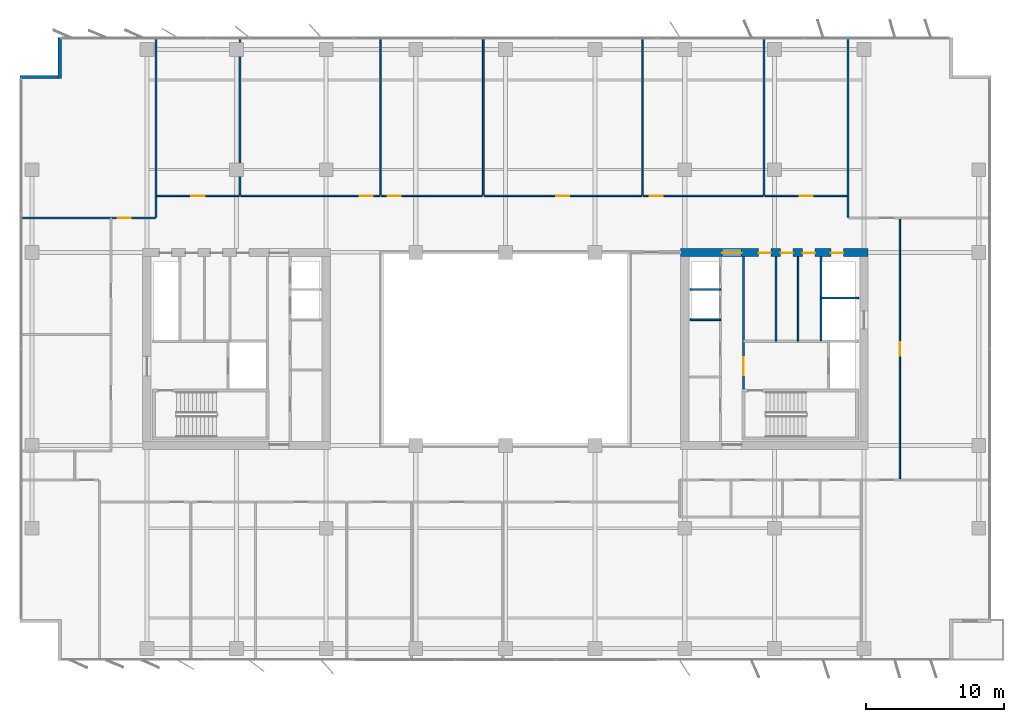
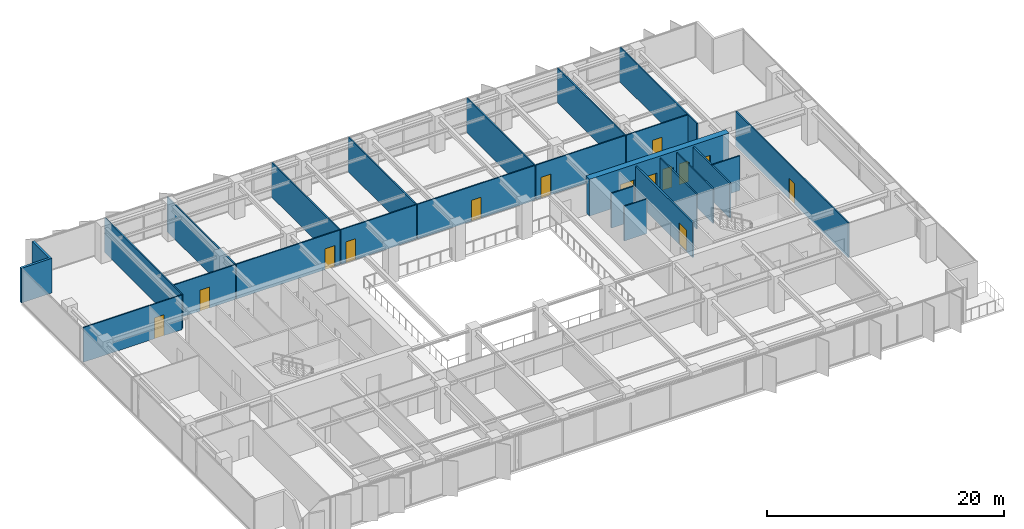
# One storey, part 17 of 22: 25 walls, 14 doors, 14 openings.
"""IFC4 building model written with IfcOpenShell, lengths in metres."""

from ifc_helpers import new_model, si_unit, direction, frame, frame_2d, origin, place, context, subcontext, project, spatial, rectangle, extrude, material, layer, layer_set, type_object, element, fill, save


model = new_model("IFC4")

# Units and contexts
model_context = context("Model", 3, precision=1e-05, world=origin(), true_north=direction((0.0, 1.0)))
body_context = subcontext(model_context, "Body", "Model", "MODEL_VIEW")
ifc_project = project(units=[si_unit("LENGTHUNIT", "METRE"), si_unit("AREAUNIT", "SQUARE_METRE"), si_unit("VOLUMEUNIT", "CUBIC_METRE"), si_unit("PLANEANGLEUNIT", "RADIAN"), si_unit("MASSUNIT", "GRAM", prefix="KILO")], contexts=[model_context])

# Site, building, storey
site_placement = place(None, origin())
site = spatial("IfcSite", under=ifc_project, at=site_placement, CompositionType="ELEMENT")
building_placement = place(site_placement, origin())
building = spatial("IfcBuilding", under=site, at=building_placement, Name="Putna Gate Headquarters", CompositionType="ELEMENT")
storey_placement = place(building_placement, frame((0.0, 0.0, 182.199951171875)))
storey = spatial("IfcBuildingStorey", under=building, at=storey_placement, Name="L45", CompositionType="ELEMENT", Elevation=182.199951171875)

# Wall, openings, doors
ifc_material_1 = material(Name="Concrete C50/60", Category="concrete")
ifc_layer_1 = layer(ifc_material_1, 0.60009765625)
ifc_layer_set_1 = layer_set([ifc_layer_1], Name="Concrete C50/60")
wall_type_1 = type_object("IfcWallType", Name="WALL-CORE-600", PredefinedType="SHEAR", material=ifc_layer_set_1)
wall_1_placement = place(storey_placement, frame((51.699951171875, 33.0, 0.0), z_axis=(0.0, 0.0, 1.0), x_axis=(1.0, 0.0, 0.0)))
wall_1 = element("IfcWall", 1, at=wall_1_placement, inside=storey, type_object=wall_type_1, Name="L45 EC Split Core Shear Wall N", PredefinedType="SHEAR", context=body_context, shape_type="SweptSolid", body=[
    extrude(rectangle(XDim=13.60009765625, YDim=0.60009765625, at=frame_2d((6.800048828125, 0.0))), origin(), (0.0, 0.0, 1.0), 3.800048828125),
])
opening_1_placement = place(wall_1_placement, frame((3.02001953125, 0.0, 0.0)))
opening_1 = element("IfcOpeningElement", 2, at=opening_1_placement, cuts=wall_1, Name="Opening FDD-140", PredefinedType="OPENING", context=body_context, shape_type="SweptSolid", body=[
    extrude(rectangle(XDim=1.39990234375, YDim=2.199951171875, at=frame_2d((0.699951171875, 1.10009765625))), frame((0.0, 0.31005859375, 0.0), z_axis=(0.0, -1.0, 0.0), x_axis=(1.0, 0.0, 0.0)), (0.0, 0.0, 1.0), 0.6201171875),
])
opening_2_placement = place(wall_1_placement, frame((10.89990234375, 0.0, 0.0)))
opening_2 = element("IfcOpeningElement", 3, at=opening_2_placement, cuts=wall_1, Name="Opening RD-90", PredefinedType="OPENING", context=body_context, shape_type="SweptSolid", body=[
    extrude(rectangle(XDim=0.89990234375, YDim=2.14990234375, at=frame_2d((0.449951171875, 1.074951171875))), frame((0.0, 0.31005859375, 0.0), z_axis=(0.0, -1.0, 0.0), x_axis=(1.0, 0.0, 0.0)), (0.0, 0.0, 1.0), 0.6201171875),
])
opening_3_placement = place(wall_1_placement, frame((5.64990234375, 0.0, 0.0)))
opening_3 = element("IfcOpeningElement", 4, at=opening_3_placement, cuts=wall_1, Name="Opening IDS-90", PredefinedType="OPENING", context=body_context, shape_type="SweptSolid", body=[
    extrude(rectangle(XDim=0.89990234375, YDim=2.14990234375, at=frame_2d((0.449951171875, 1.074951171875))), frame((0.0, 0.31005859375, 0.0), z_axis=(0.0, -1.0, 0.0), x_axis=(1.0, 0.0, 0.0)), (0.0, 0.0, 1.0), 0.6201171875),
])
opening_4_placement = place(wall_1_placement, frame((7.25, 0.0, 0.0)))
opening_4 = element("IfcOpeningElement", 5, at=opening_4_placement, cuts=wall_1, Name="Opening IDS-90", PredefinedType="OPENING", context=body_context, shape_type="SweptSolid", body=[
    extrude(rectangle(XDim=0.89990234375, YDim=2.14990234375, at=frame_2d((0.449951171875, 1.074951171875))), frame((0.0, 0.31005859375, 0.0), z_axis=(0.0, -1.0, 0.0), x_axis=(1.0, 0.0, 0.0)), (0.0, 0.0, 1.0), 0.6201171875),
])
opening_5_placement = place(wall_1_placement, frame((8.85009765625, 0.0, 0.0)))
opening_5 = element("IfcOpeningElement", 6, at=opening_5_placement, cuts=wall_1, Name="Opening IDS-90", PredefinedType="OPENING", context=body_context, shape_type="SweptSolid", body=[
    extrude(rectangle(XDim=0.89990234375, YDim=2.14990234375, at=frame_2d((0.449951171875, 1.074951171875))), frame((0.0, 0.31005859375, 0.0), z_axis=(0.0, -1.0, 0.0), x_axis=(1.0, 0.0, 0.0)), (0.0, 0.0, 1.0), 0.6201171875),
])
ifc_material_2 = material(Name="Double steel fire door", Category="steel")
door_type_1 = type_object("IfcDoorType", Name="DOOR-FIRE-DBL-1400", OperationType="DOUBLE_DOOR_SINGLE_SWING", PredefinedType="DOOR", material=ifc_material_2)
door_1_placement = place(opening_1_placement, origin())
door_1 = element("IfcDoor", 7, at=door_1_placement, inside=storey, type_object=door_type_1, Name="L45 East Lift Lobby North Door", OperationType="DOUBLE_DOOR_SINGLE_SWING", OverallHeight=2.199951171875, OverallWidth=1.39990234375, PredefinedType="DOOR", context=body_context, shape_type="SweptSolid", body=[
    extrude(rectangle(XDim=1.39990234375, YDim=2.199951171875, at=frame_2d((0.699951171875, 1.10009765625))), frame((0.0, -0.02490234375, 0.0), z_axis=(0.0, -1.0, 0.0), x_axis=(1.0, 0.0, 0.0)), (0.0, 0.0, 1.0), 0.050048828125),
])
fill(opening_1, door_1)
ifc_material_3 = material(Name="Fire-rated utility door")
door_type_2 = type_object("IfcDoorType", Name="DOOR-INT-900", OperationType="NOTDEFINED", PredefinedType="DOOR", material=ifc_material_3)
door_2_placement = place(opening_3_placement, origin())
door_2 = element("IfcDoor", 8, at=door_2_placement, inside=storey, type_object=door_type_2, Name="L45 East Cleaner Store Door", OperationType="SINGLE_SWING_RIGHT", OverallHeight=2.14990234375, OverallWidth=0.89990234375, PredefinedType="DOOR", context=body_context, shape_type="SweptSolid", body=[
    extrude(rectangle(XDim=0.89990234375, YDim=2.14990234375, at=frame_2d((0.449951171875, 1.074951171875))), frame((0.0, -0.02490234375, 0.0), z_axis=(0.0, -1.0, 0.0), x_axis=(1.0, 0.0, 0.0)), (0.0, 0.0, 1.0), 0.050048828125),
])
fill(opening_3, door_2)
door_3_placement = place(opening_4_placement, origin())
door_3 = element("IfcDoor", 9, at=door_3_placement, inside=storey, type_object=door_type_2, Name="L45 BMS Outstation Door", OperationType="SINGLE_SWING_LEFT", OverallHeight=2.14990234375, OverallWidth=0.89990234375, PredefinedType="DOOR", context=body_context, shape_type="SweptSolid", body=[
    extrude(rectangle(XDim=0.89990234375, YDim=2.14990234375, at=frame_2d((0.449951171875, 1.074951171875))), frame((0.0, -0.02490234375, 0.0), z_axis=(0.0, -1.0, 0.0), x_axis=(1.0, 0.0, 0.0)), (0.0, 0.0, 1.0), 0.050048828125),
])
fill(opening_4, door_3)
door_4_placement = place(opening_5_placement, origin())
door_4 = element("IfcDoor", 10, at=door_4_placement, inside=storey, type_object=door_type_2, Name="L45 Facilities Equipment Store Door", OperationType="SINGLE_SWING_RIGHT", OverallHeight=2.14990234375, OverallWidth=0.89990234375, PredefinedType="DOOR", context=body_context, shape_type="SweptSolid", body=[
    extrude(rectangle(XDim=0.89990234375, YDim=2.14990234375, at=frame_2d((0.449951171875, 1.074951171875))), frame((0.0, -0.02490234375, 0.0), z_axis=(0.0, -1.0, 0.0), x_axis=(1.0, 0.0, 0.0)), (0.0, 0.0, 1.0), 0.050048828125),
])
fill(opening_5, door_4)
ifc_material_4 = material(Name="Steel riser access fire door", Category="steel")
door_type_3 = type_object("IfcDoorType", Name="DOOR-RISER-900", OperationType="NOTDEFINED", PredefinedType="DOOR", material=ifc_material_4)
door_5_placement = place(opening_2_placement, origin())
door_5 = element("IfcDoor", 11, at=door_5_placement, inside=storey, type_object=door_type_3, Name="L45 East Riser Access Door", OperationType="SINGLE_SWING_LEFT", OverallHeight=2.14990234375, OverallWidth=0.89990234375, PredefinedType="DOOR", context=body_context, shape_type="SweptSolid", body=[
    extrude(rectangle(XDim=0.89990234375, YDim=2.14990234375, at=frame_2d((0.449951171875, 1.074951171875))), frame((0.0, -0.02490234375, 0.0), z_axis=(0.0, -1.0, 0.0), x_axis=(1.0, 0.0, 0.0)), (0.0, 0.0, 1.0), 0.050048828125),
])
fill(opening_2, door_5)

# Walls
ifc_material_5 = material(Name="Precast concrete C40/50", Category="concrete")
ifc_layer_2 = layer(ifc_material_5, 0.239990234375)
ifc_layer_set_2 = layer_set([ifc_layer_2], Name="Precast concrete C40/50")
wall_type_2 = type_object("IfcWallType", Name="WALL-EXT-TERR-240", PredefinedType="STANDARD", material=ifc_layer_set_2)
for number, where, z_axis, x_axis, name in (
    (12, (6.679931640625, 45.60009765625, 0.0), (0.0, 0.0, 1.0), (0.0, 1.0, 0.0), "L45 Corner Notch Return Wall NW-V"),
    (13, (3.800048828125, 45.719970703125, 0.0), (0.0, 0.0, 1.0), (1.0, 0.0, 0.0), "L45 Corner Notch Return Wall NW-H"),
):
    element("IfcWall", number, at=place(storey_placement, frame(where, z_axis=z_axis, x_axis=x_axis)), inside=storey, type_object=wall_type_2, Name=name, PredefinedType="STANDARD", context=body_context, shape_type="SweptSolid", body=[
        extrude(rectangle(XDim=3.0, YDim=0.239990234375, at=frame_2d((1.5, 0.0))), origin(), (0.0, 0.0, 1.0), 3.572021484375),
    ])
ifc_material_6 = material(Name="Acoustic gypsum board on metal stud")
ifc_layer_3 = layer(ifc_material_6, 0.1201171875)
ifc_layer_set_3 = layer_set([ifc_layer_3], Name="Acoustic gypsum board on metal stud")
wall_type_3 = type_object("IfcWallType", Name="WALL-PART-120", PredefinedType="PARTITIONING", material=ifc_layer_set_3)
wall_2_placement = place(storey_placement, frame((13.659423828125, 35.56005859375, 0.0), z_axis=(0.0, 0.0, 1.0), x_axis=(0.0, 1.0, 0.0)))
element("IfcWall", 14, at=wall_2_placement, inside=storey, type_object=wall_type_3, Name="L45 Interior Wall PART-L45-NB-DIV-01", PredefinedType="PARTITIONING", context=body_context, shape_type="SweptSolid", body=[
    extrude(rectangle(XDim=13.02001953125, YDim=0.1201171875, at=frame_2d((6.510009765625, 0.0))), origin(), (0.0, 0.0, 1.0), 3.572021484375),
])
for number, where, z_axis, x_axis, name in (
    (15, (19.7529296875, 37.159912109375, 0.0), (0.0, 0.0, 1.0), (0.0, 1.0, 0.0), "L45 Interior Wall PART-L45-NB-DIV-02"),
    (16, (29.9296875, 37.159912109375, 0.0), (0.0, 0.0, 1.0), (0.0, 1.0, 0.0), "L45 Interior Wall PART-L45-NB-DIV-03"),
    (17, (37.38916015625, 37.159912109375, 0.0), (0.0, 0.0, 1.0), (0.0, 1.0, 0.0), "L45 Interior Wall PART-L45-NB-DIV-04"),
    (18, (48.931640625, 37.159912109375, 0.0), (0.0, 0.0, 1.0), (0.0, 1.0, 0.0), "L45 Interior Wall PART-L45-NB-DIV-05"),
    (19, (57.749755859375, 37.159912109375, 0.0), (0.0, 0.0, 1.0), (0.0, 1.0, 0.0), "L45 Interior Wall PART-L45-NB-DIV-06"),
):
    element("IfcWall", number, at=place(storey_placement, frame(where, z_axis=z_axis, x_axis=x_axis)), inside=storey, type_object=wall_type_3, Name=name, PredefinedType="PARTITIONING", context=body_context, shape_type="SweptSolid", body=[
        extrude(rectangle(XDim=11.420166015625, YDim=0.1201171875, at=frame_2d((5.7099609375, 0.0))), origin(), (0.0, 0.0, 1.0), 3.572021484375),
    ])
wall_3_placement = place(storey_placement, frame((63.84326171875, 35.56005859375, 0.0), z_axis=(0.0, 0.0, 1.0), x_axis=(0.0, 1.0, 0.0)))
element("IfcWall", 20, at=wall_3_placement, inside=storey, type_object=wall_type_3, Name="L45 Interior Wall PART-L45-NB-DIV-07", PredefinedType="PARTITIONING", context=body_context, shape_type="SweptSolid", body=[
    extrude(rectangle(XDim=13.02001953125, YDim=0.1201171875, at=frame_2d((6.510009765625, 0.0))), origin(), (0.0, 0.0, 1.0), 3.572021484375),
])
ifc_material_7 = material(Name="Fire-rated shaftwall gypsum board on metal stud")
ifc_layer_4 = layer(ifc_material_7, 0.1201171875)
ifc_layer_set_4 = layer_set([ifc_layer_4], Name="Fire-rated shaftwall gypsum board on metal stud")
wall_type_4 = type_object("IfcWallType", Name="WALL-PART-120-EI120", PredefinedType="PARTITIONING", material=ifc_layer_set_4)
wall_4_placement = place(storey_placement, frame((52.39990234375, 30.31005859375, 0.0), z_axis=(0.0, 0.0, 1.0), x_axis=(1.0, 0.0, 0.0)))
element("IfcWall", 21, at=wall_4_placement, inside=storey, type_object=wall_type_4, Name="L45 Interior Wall CWINT-L45-EC-LF11-DIV", PredefinedType="PARTITIONING", context=body_context, shape_type="SweptSolid", body=[
    extrude(rectangle(XDim=2.2001953125, YDim=0.1201171875, at=frame_2d((1.10009765625, 0.0))), origin(), (0.0, 0.0, 1.0), 3.572021484375),
])
wall_5_placement = place(storey_placement, frame((61.8701171875, 29.699951171875, 0.0), z_axis=(0.0, 0.0, 1.0), x_axis=(1.0, 0.0, 0.0)))
element("IfcWall", 22, at=wall_5_placement, inside=storey, type_object=wall_type_4, Name="L45 Interior Wall CWINT-L45-EC-LF15-N", PredefinedType="PARTITIONING", context=body_context, shape_type="SweptSolid", body=[
    extrude(rectangle(XDim=2.72998046875, YDim=0.1201171875, at=frame_2d((1.364990234375, 0.0))), origin(), (0.0, 0.0, 1.0), 3.572021484375),
])
ifc_material_8 = material(Name="Fire-rated gypsum board on metal stud")
ifc_layer_5 = layer(ifc_material_8, 0.1201171875)
ifc_layer_set_5 = layer_set([ifc_layer_5], Name="Fire-rated gypsum board on metal stud")
wall_type_5 = type_object("IfcWallType", Name="WALL-PART-120-RATED", PredefinedType="PARTITIONING", material=ifc_layer_set_5)
wall_6_placement = place(storey_placement, frame((52.39990234375, 28.1201171875, 0.0), z_axis=(0.0, 0.0, 1.0), x_axis=(1.0, 0.0, 0.0)))
element("IfcWall", 23, at=wall_6_placement, inside=storey, type_object=wall_type_5, Name="L45 Interior Wall CWINT-L45-EC-LF08-DIV", PredefinedType="PARTITIONING", context=body_context, shape_type="SweptSolid", body=[
    extrude(rectangle(XDim=2.2001953125, YDim=0.1201171875, at=frame_2d((1.10009765625, 0.0))), origin(), (0.0, 0.0, 1.0), 3.572021484375),
])
for number, where, z_axis, x_axis, name in (
    (24, (58.6201171875, 26.56005859375, 0.0), (0.0, 0.0, 1.0), (0.0, 1.0, 0.0), "L45 Interior Wall CWINT-L45-EC-K2-D1"),
    (25, (60.219970703125, 26.56005859375, 0.0), (0.0, 0.0, 1.0), (0.0, 1.0, 0.0), "L45 Interior Wall CWINT-L45-EC-K2-D2"),
):
    element("IfcWall", number, at=place(storey_placement, frame(where, z_axis=z_axis, x_axis=x_axis)), inside=storey, type_object=wall_type_5, Name=name, PredefinedType="PARTITIONING", context=body_context, shape_type="SweptSolid", body=[
        extrude(rectangle(XDim=6.139892578125, YDim=0.1201171875, at=frame_2d((3.06982421875, 0.0))), origin(), (0.0, 0.0, 1.0), 3.572021484375),
    ])

# Wall, opening, door
wall_7_placement = place(storey_placement, frame((3.97998046875, 35.5, 0.0), z_axis=(0.0, 0.0, 1.0), x_axis=(1.0, 0.0, 0.0)))
wall_7 = element("IfcWall", 26, at=wall_7_placement, inside=storey, type_object=wall_type_5, Name="L45 Interior Wall PART-L45-NB-CW-01", PredefinedType="PARTITIONING", context=body_context, shape_type="SweptSolid", body=[
    extrude(rectangle(XDim=9.61962890625, YDim=0.1201171875, at=frame_2d((4.809814453125, 0.0))), origin(), (0.0, 0.0, 1.0), 3.572021484375),
])
opening_6_placement = place(wall_7_placement, frame((6.89990234375, 0.0, 0.0)))
opening_6 = element("IfcOpeningElement", 27, at=opening_6_placement, cuts=wall_7, Name="Opening FD-95", PredefinedType="OPENING", context=body_context, shape_type="SweptSolid", body=[
    extrude(rectangle(XDim=0.949951171875, YDim=2.14990234375, at=frame_2d((0.47509765625, 1.074951171875))), frame((0.0, 0.070068359375, 0.0), z_axis=(0.0, -1.0, 0.0), x_axis=(1.0, 0.0, 0.0)), (0.0, 0.0, 1.0), 0.14013671875),
])
ifc_material_9 = material(Name="Acoustic timber fire door", Category="wood")
door_type_4 = type_object("IfcDoorType", Name="DOOR-FIRE-950", OperationType="NOTDEFINED", PredefinedType="DOOR", material=ifc_material_9)
door_6_placement = place(opening_6_placement, origin())
door_6 = element("IfcDoor", 28, at=door_6_placement, inside=storey, type_object=door_type_4, Name="L45 Conference Meeting Room 4 Door", OperationType="SINGLE_SWING_RIGHT", OverallHeight=2.14990234375, OverallWidth=0.949951171875, PredefinedType="DOOR", context=body_context, shape_type="SweptSolid", body=[
    extrude(rectangle(XDim=0.949951171875, YDim=2.14990234375, at=frame_2d((0.47509765625, 1.074951171875))), frame((0.0, 0.02490234375, 0.0), z_axis=(0.0, -1.0, 0.0), x_axis=(1.0, 0.0, 0.0)), (0.0, 0.0, 1.0), 0.050048828125),
])
fill(opening_6, door_6)

wall_8_placement = place(storey_placement, frame((13.719482421875, 37.10009765625, 0.0), z_axis=(0.0, 0.0, 1.0), x_axis=(1.0, 0.0, 0.0)))
wall_8 = element("IfcWall", 29, at=wall_8_placement, inside=storey, type_object=wall_type_5, Name="L45 Interior Wall PART-L45-NB-CW-02", PredefinedType="PARTITIONING", context=body_context, shape_type="SweptSolid", body=[
    extrude(rectangle(XDim=5.9736328125, YDim=0.1201171875, at=frame_2d((2.98681640625, 0.0))), origin(), (0.0, 0.0, 1.0), 3.572021484375),
])
opening_7_placement = place(wall_8_placement, frame((2.51171875, 0.0, 0.0)))
opening_7 = element("IfcOpeningElement", 30, at=opening_7_placement, cuts=wall_8, Name="Opening FD-95", PredefinedType="OPENING", context=body_context, shape_type="SweptSolid", body=[
    extrude(rectangle(XDim=0.949951171875, YDim=2.14990234375, at=frame_2d((0.47509765625, 1.074951171875))), frame((0.0, 0.070068359375, 0.0), z_axis=(0.0, -1.0, 0.0), x_axis=(1.0, 0.0, 0.0)), (0.0, 0.0, 1.0), 0.14013671875),
])
door_7_placement = place(opening_7_placement, origin())
door_7 = element("IfcDoor", 31, at=door_7_placement, inside=storey, type_object=door_type_4, Name="L45 Quiet Wellness Focus Studio 1 Door", OperationType="SINGLE_SWING_LEFT", OverallHeight=2.14990234375, OverallWidth=0.949951171875, PredefinedType="DOOR", context=body_context, shape_type="SweptSolid", body=[
    extrude(rectangle(XDim=0.949951171875, YDim=2.14990234375, at=frame_2d((0.47509765625, 1.074951171875))), frame((0.0, 0.02490234375, 0.0), z_axis=(0.0, -1.0, 0.0), x_axis=(1.0, 0.0, 0.0)), (0.0, 0.0, 1.0), 0.050048828125),
])
fill(opening_7, door_7)

wall_9_placement = place(storey_placement, frame((19.81298828125, 37.10009765625, 0.0), z_axis=(0.0, 0.0, 1.0), x_axis=(1.0, 0.0, 0.0)))
wall_9 = element("IfcWall", 32, at=wall_9_placement, inside=storey, type_object=wall_type_5, Name="L45 Interior Wall PART-L45-NB-CW-03", PredefinedType="PARTITIONING", context=body_context, shape_type="SweptSolid", body=[
    extrude(rectangle(XDim=10.056884765625, YDim=0.1201171875, at=frame_2d((5.0283203125, 0.0))), origin(), (0.0, 0.0, 1.0), 3.572021484375),
])
opening_8_placement = place(wall_9_placement, frame((8.626708984375, 0.0, 0.0)))
opening_8 = element("IfcOpeningElement", 33, at=opening_8_placement, cuts=wall_9, Name="Opening FD-95", PredefinedType="OPENING", context=body_context, shape_type="SweptSolid", body=[
    extrude(rectangle(XDim=0.949951171875, YDim=2.14990234375, at=frame_2d((0.47509765625, 1.074951171875))), frame((0.0, 0.070068359375, 0.0), z_axis=(0.0, -1.0, 0.0), x_axis=(1.0, 0.0, 0.0)), (0.0, 0.0, 1.0), 0.14013671875),
])
door_8_placement = place(opening_8_placement, origin())
door_8 = element("IfcDoor", 34, at=door_8_placement, inside=storey, type_object=door_type_4, Name="L45 Quiet Wellness Focus Studio 2 Door", OperationType="SINGLE_SWING_RIGHT", OverallHeight=2.14990234375, OverallWidth=0.949951171875, PredefinedType="DOOR", context=body_context, shape_type="SweptSolid", body=[
    extrude(rectangle(XDim=0.949951171875, YDim=2.14990234375, at=frame_2d((0.47509765625, 1.074951171875))), frame((0.0, 0.02490234375, 0.0), z_axis=(0.0, -1.0, 0.0), x_axis=(1.0, 0.0, 0.0)), (0.0, 0.0, 1.0), 0.050048828125),
])
fill(opening_8, door_8)

wall_10_placement = place(storey_placement, frame((29.98974609375, 37.10009765625, 0.0), z_axis=(0.0, 0.0, 1.0), x_axis=(1.0, 0.0, 0.0)))
wall_10 = element("IfcWall", 35, at=wall_10_placement, inside=storey, type_object=wall_type_5, Name="L45 Interior Wall PART-L45-NB-CW-04", PredefinedType="PARTITIONING", context=body_context, shape_type="SweptSolid", body=[
    extrude(rectangle(XDim=7.33935546875, YDim=0.1201171875, at=frame_2d((3.669677734375, 0.0))), origin(), (0.0, 0.0, 1.0), 3.572021484375),
])
opening_9_placement = place(wall_10_placement, frame((0.47998046875, 0.0, 0.0)))
opening_9 = element("IfcOpeningElement", 36, at=opening_9_placement, cuts=wall_10, Name="Opening FD-95", PredefinedType="OPENING", context=body_context, shape_type="SweptSolid", body=[
    extrude(rectangle(XDim=0.949951171875, YDim=2.14990234375, at=frame_2d((0.47509765625, 1.074951171875))), frame((0.0, 0.070068359375, 0.0), z_axis=(0.0, -1.0, 0.0), x_axis=(1.0, 0.0, 0.0)), (0.0, 0.0, 1.0), 0.14013671875),
])
door_9_placement = place(opening_9_placement, origin())
door_9 = element("IfcDoor", 37, at=door_9_placement, inside=storey, type_object=door_type_4, Name="L45 Cellular Office 1 Door", OperationType="SINGLE_SWING_LEFT", OverallHeight=2.14990234375, OverallWidth=0.949951171875, PredefinedType="DOOR", context=body_context, shape_type="SweptSolid", body=[
    extrude(rectangle(XDim=0.949951171875, YDim=2.14990234375, at=frame_2d((0.47509765625, 1.074951171875))), frame((0.0, 0.02490234375, 0.0), z_axis=(0.0, -1.0, 0.0), x_axis=(1.0, 0.0, 0.0)), (0.0, 0.0, 1.0), 0.050048828125),
])
fill(opening_9, door_9)

wall_11_placement = place(storey_placement, frame((37.44921875, 37.10009765625, 0.0), z_axis=(0.0, 0.0, 1.0), x_axis=(1.0, 0.0, 0.0)))
wall_11 = element("IfcWall", 38, at=wall_11_placement, inside=storey, type_object=wall_type_5, Name="L45 Interior Wall PART-L45-NB-CW-05", PredefinedType="PARTITIONING", context=body_context, shape_type="SweptSolid", body=[
    extrude(rectangle(XDim=11.42236328125, YDim=0.1201171875, at=frame_2d((5.711181640625, 0.0))), origin(), (0.0, 0.0, 1.0), 3.572021484375),
])
opening_10_placement = place(wall_11_placement, frame((5.236328125, 0.0, 0.0)))
opening_10 = element("IfcOpeningElement", 39, at=opening_10_placement, cuts=wall_11, Name="Opening FD-95", PredefinedType="OPENING", context=body_context, shape_type="SweptSolid", body=[
    extrude(rectangle(XDim=0.949951171875, YDim=2.14990234375, at=frame_2d((0.47509765625, 1.074951171875))), frame((0.0, 0.070068359375, 0.0), z_axis=(0.0, -1.0, 0.0), x_axis=(1.0, 0.0, 0.0)), (0.0, 0.0, 1.0), 0.14013671875),
])
door_10_placement = place(opening_10_placement, origin())
door_10 = element("IfcDoor", 40, at=door_10_placement, inside=storey, type_object=door_type_4, Name="L45 Cellular Office 2 Door", OperationType="SINGLE_SWING_RIGHT", OverallHeight=2.14990234375, OverallWidth=0.949951171875, PredefinedType="DOOR", context=body_context, shape_type="SweptSolid", body=[
    extrude(rectangle(XDim=0.949951171875, YDim=2.14990234375, at=frame_2d((0.47509765625, 1.074951171875))), frame((0.0, 0.02490234375, 0.0), z_axis=(0.0, -1.0, 0.0), x_axis=(1.0, 0.0, 0.0)), (0.0, 0.0, 1.0), 0.050048828125),
])
fill(opening_10, door_10)

wall_12_placement = place(storey_placement, frame((48.99169921875, 37.10009765625, 0.0), z_axis=(0.0, 0.0, 1.0), x_axis=(1.0, 0.0, 0.0)))
wall_12 = element("IfcWall", 41, at=wall_12_placement, inside=storey, type_object=wall_type_5, Name="L45 Interior Wall PART-L45-NB-CW-06", PredefinedType="PARTITIONING", context=body_context, shape_type="SweptSolid", body=[
    extrude(rectangle(XDim=8.697998046875, YDim=0.1201171875, at=frame_2d((4.34912109375, 0.0))), origin(), (0.0, 0.0, 1.0), 3.572021484375),
])
opening_11_placement = place(wall_12_placement, frame((0.47998046875, 0.0, 0.0)))
opening_11 = element("IfcOpeningElement", 42, at=opening_11_placement, cuts=wall_12, Name="Opening FD-95", PredefinedType="OPENING", context=body_context, shape_type="SweptSolid", body=[
    extrude(rectangle(XDim=0.949951171875, YDim=2.14990234375, at=frame_2d((0.47509765625, 1.074951171875))), frame((0.0, 0.070068359375, 0.0), z_axis=(0.0, -1.0, 0.0), x_axis=(1.0, 0.0, 0.0)), (0.0, 0.0, 1.0), 0.14013671875),
])
door_11_placement = place(opening_11_placement, origin())
door_11 = element("IfcDoor", 43, at=door_11_placement, inside=storey, type_object=door_type_4, Name="L45 Cellular Office 3 Door", OperationType="SINGLE_SWING_LEFT", OverallHeight=2.14990234375, OverallWidth=0.949951171875, PredefinedType="DOOR", context=body_context, shape_type="SweptSolid", body=[
    extrude(rectangle(XDim=0.949951171875, YDim=2.14990234375, at=frame_2d((0.47509765625, 1.074951171875))), frame((0.0, 0.02490234375, 0.0), z_axis=(0.0, -1.0, 0.0), x_axis=(1.0, 0.0, 0.0)), (0.0, 0.0, 1.0), 0.050048828125),
])
fill(opening_11, door_11)

wall_13_placement = place(storey_placement, frame((57.809814453125, 37.10009765625, 0.0), z_axis=(0.0, 0.0, 1.0), x_axis=(1.0, 0.0, 0.0)))
wall_13 = element("IfcWall", 44, at=wall_13_placement, inside=storey, type_object=wall_type_5, Name="L45 Interior Wall PART-L45-NB-CW-07", PredefinedType="PARTITIONING", context=body_context, shape_type="SweptSolid", body=[
    extrude(rectangle(XDim=5.973388671875, YDim=0.1201171875, at=frame_2d((2.98681640625, 0.0))), origin(), (0.0, 0.0, 1.0), 3.572021484375),
])
opening_12_placement = place(wall_13_placement, frame((2.51171875, 0.0, 0.0)))
opening_12 = element("IfcOpeningElement", 45, at=opening_12_placement, cuts=wall_13, Name="Opening FD-95", PredefinedType="OPENING", context=body_context, shape_type="SweptSolid", body=[
    extrude(rectangle(XDim=0.949951171875, YDim=2.14990234375, at=frame_2d((0.47509765625, 1.074951171875))), frame((0.0, 0.070068359375, 0.0), z_axis=(0.0, -1.0, 0.0), x_axis=(1.0, 0.0, 0.0)), (0.0, 0.0, 1.0), 0.14013671875),
])
door_12_placement = place(opening_12_placement, origin())
door_12 = element("IfcDoor", 46, at=door_12_placement, inside=storey, type_object=door_type_4, Name="L45 Cellular Office 4 Door", OperationType="SINGLE_SWING_RIGHT", OverallHeight=2.14990234375, OverallWidth=0.949951171875, PredefinedType="DOOR", context=body_context, shape_type="SweptSolid", body=[
    extrude(rectangle(XDim=0.949951171875, YDim=2.14990234375, at=frame_2d((0.47509765625, 1.074951171875))), frame((0.0, 0.02490234375, 0.0), z_axis=(0.0, -1.0, 0.0), x_axis=(1.0, 0.0, 0.0)), (0.0, 0.0, 1.0), 0.050048828125),
])
fill(opening_12, door_12)

wall_14_placement = place(storey_placement, frame((67.60009765625, 16.5, 0.0), z_axis=(0.0, 0.0, 1.0), x_axis=(0.0, 1.0, 0.0)))
wall_14 = element("IfcWall", 47, at=wall_14_placement, inside=storey, type_object=wall_type_5, Name="L45 Interior Wall PART-L45-EW-CW-1", PredefinedType="PARTITIONING", context=body_context, shape_type="SweptSolid", body=[
    extrude(rectangle(XDim=19.0, YDim=0.1201171875, at=frame_2d((9.5, 0.0))), origin(), (0.0, 0.0, 1.0), 3.572021484375),
])
opening_13_placement = place(wall_14_placement, frame((9.02490234375, 0.0, 0.0)))
opening_13 = element("IfcOpeningElement", 48, at=opening_13_placement, cuts=wall_14, Name="Opening FD-95", PredefinedType="OPENING", context=body_context, shape_type="SweptSolid", body=[
    extrude(rectangle(XDim=0.949951171875, YDim=2.14990234375, at=frame_2d((0.47509765625, 1.074951171875))), frame((0.0, 0.070068359375, 0.0), z_axis=(0.0, -1.0, 0.0), x_axis=(1.0, 0.0, 0.0)), (0.0, 0.0, 1.0), 0.14013671875),
])
door_13_placement = place(opening_13_placement, origin())
door_13 = element("IfcDoor", 49, at=door_13_placement, inside=storey, type_object=door_type_4, Name="L45 East Horizon Conference Room 1 Door", OperationType="SINGLE_SWING_RIGHT", OverallHeight=2.14990234375, OverallWidth=0.949951171875, PredefinedType="DOOR", context=body_context, shape_type="SweptSolid", body=[
    extrude(rectangle(XDim=0.949951171875, YDim=2.14990234375, at=frame_2d((0.47509765625, 1.074951171875))), frame((0.0, 0.02490234375, 0.0), z_axis=(0.0, -1.0, 0.0), x_axis=(1.0, 0.0, 0.0)), (0.0, 0.0, 1.0), 0.050048828125),
])
fill(opening_13, door_13)

ifc_material_10 = material(Name="Concrete C40/50", Category="concrete")
ifc_layer_6 = layer(ifc_material_10, 0.159912109375)
ifc_layer_set_6 = layer_set([ifc_layer_6], Name="Concrete C40/50")
wall_type_6 = type_object("IfcWallType", Name="WALL-SHAFT-160", PredefinedType="STANDARD", material=ifc_layer_set_6)
wall_15_placement = place(storey_placement, frame((56.260009765625, 23.090087890625, 0.0), z_axis=(0.0, 0.0, 1.0), x_axis=(0.0, 1.0, 0.0)))
wall_15 = element("IfcWall", 50, at=wall_15_placement, inside=storey, type_object=wall_type_6, Name="L45 Interior Wall CWINT-L45-EC-LOB-E", PredefinedType="STANDARD", context=body_context, shape_type="SweptSolid", body=[
    extrude(rectangle(XDim=9.60986328125, YDim=0.159912109375, at=frame_2d((4.804931640625, 0.0))), origin(), (0.0, 0.0, 1.0), 3.572021484375),
])
opening_14_placement = place(wall_15_placement, frame((1.010009765625, 0.0, 0.0)))
opening_14 = element("IfcOpeningElement", 51, at=opening_14_placement, cuts=wall_15, Name="Opening FDD-130", PredefinedType="OPENING", context=body_context, shape_type="SweptSolid", body=[
    extrude(rectangle(XDim=1.300048828125, YDim=2.199951171875, at=frame_2d((0.64990234375, 1.10009765625))), frame((0.0, 0.08984375, 0.0), z_axis=(0.0, -1.0, 0.0), x_axis=(1.0, 0.0, 0.0)), (0.0, 0.0, 1.0), 0.179931640625),
])
ifc_material_11 = material(Name="Double steel lobby fire door", Category="steel")
door_type_5 = type_object("IfcDoorType", Name="DOOR-FIRE-DBL-1300", OperationType="DOUBLE_DOOR_SINGLE_SWING", PredefinedType="DOOR", material=ifc_material_11)
door_14_placement = place(opening_14_placement, origin())
door_14 = element("IfcDoor", 52, at=door_14_placement, inside=storey, type_object=door_type_5, Name="L45 East Firefighting Lobby Door", OperationType="DOUBLE_DOOR_SINGLE_SWING", OverallHeight=2.199951171875, OverallWidth=1.300048828125, PredefinedType="DOOR", context=body_context, shape_type="SweptSolid", body=[
    extrude(rectangle(XDim=1.300048828125, YDim=2.199951171875, at=frame_2d((0.64990234375, 1.10009765625))), frame((0.0, 0.02490234375, 0.0), z_axis=(0.0, -1.0, 0.0), x_axis=(1.0, 0.0, 0.0)), (0.0, 0.0, 1.0), 0.050048828125),
])
fill(opening_14, door_14)

# Wall
wall_16_placement = place(storey_placement, frame((61.8701171875, 26.56005859375, 0.0), z_axis=(0.0, 0.0, 1.0), x_axis=(0.0, 1.0, 0.0)))
element("IfcWall", 53, at=wall_16_placement, inside=storey, type_object=wall_type_6, Name="L45 Interior Wall CWINT-L45-EC-LF15-W", PredefinedType="STANDARD", context=body_context, shape_type="SweptSolid", body=[
    extrude(rectangle(XDim=6.139892578125, YDim=0.159912109375, at=frame_2d((3.06982421875, 0.0))), origin(), (0.0, 0.0, 1.0), 3.572021484375),
])

save(model, "model.ifc")
